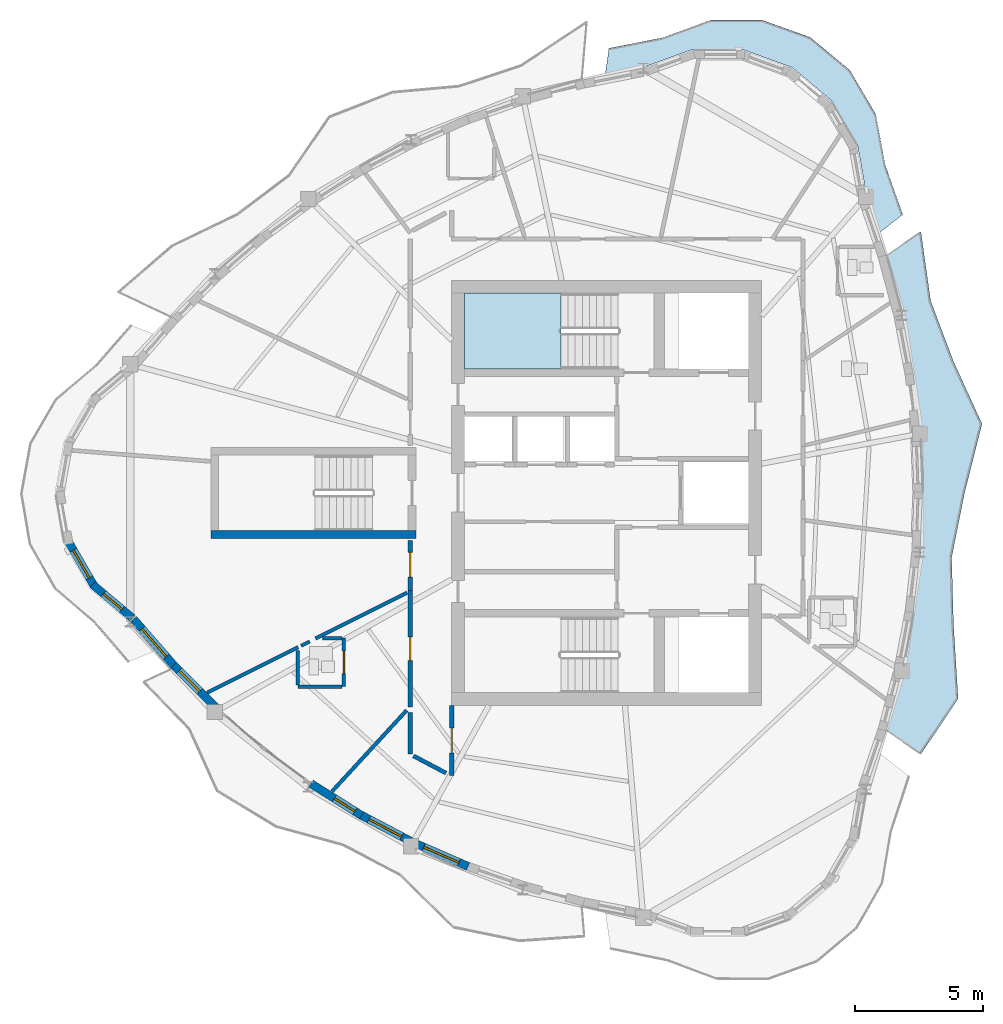
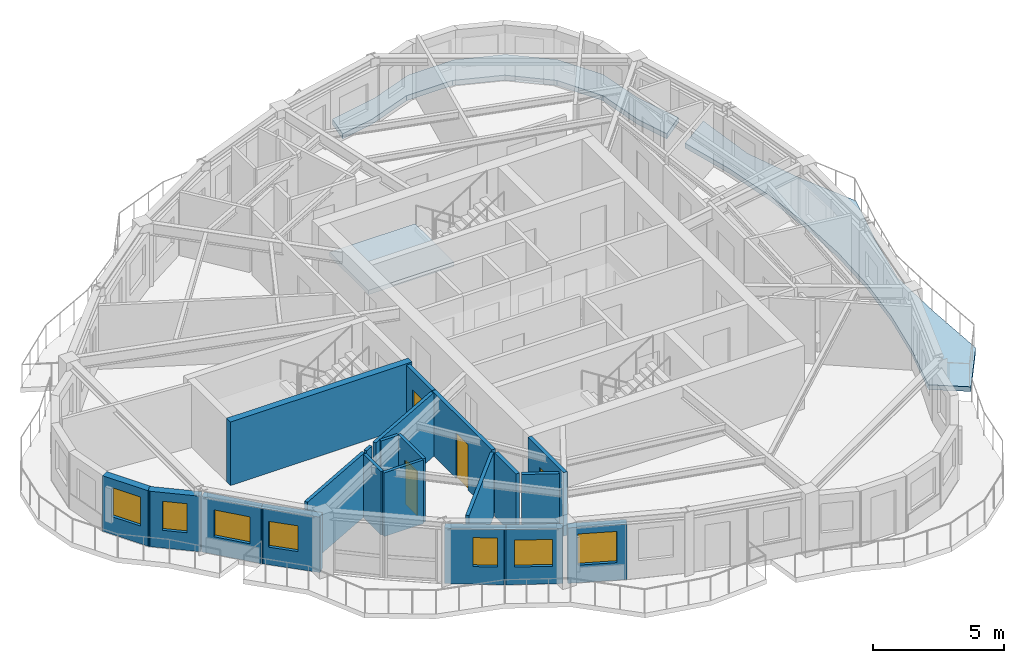
# One storey, part 4 of 13: 21 walls, 7 windows, 4 doors, 3 slabs, 11 openings, 1 element without a shape of its own.
"""IFC4 building model written with IfcOpenShell, lengths in metres."""

from ifc_helpers import new_model, si_unit, direction, frame, frame_2d, origin, place, context, subcontext, project, spatial, polyline, rectangle, outline, extrude, source, transform, mapped, material, layer, layer_set, type_object, element, fill, aggregate, save


model = new_model("IFC4")

# Units and contexts
model_context = context("Model", 3, precision=1e-05, world=origin(), true_north=direction((0.0, 1.0)))
body_context = subcontext(model_context, "Body", "Model", "MODEL_VIEW")
ifc_project = project(units=[si_unit("LENGTHUNIT", "METRE"), si_unit("AREAUNIT", "SQUARE_METRE"), si_unit("VOLUMEUNIT", "CUBIC_METRE"), si_unit("PLANEANGLEUNIT", "RADIAN"), si_unit("MASSUNIT", "GRAM", prefix="KILO")], contexts=[model_context])

# Site, building, storey
site_placement = place(None, origin())
site = spatial("IfcSite", under=ifc_project, at=site_placement, CompositionType="ELEMENT")
building_placement = place(site_placement, origin())
building = spatial("IfcBuilding", under=site, at=building_placement, Name="Qafzar Sky-Pleat Residences", CompositionType="ELEMENT")
storey_placement = place(building_placement, frame((0.0, 0.0, 195.60009765625)))
storey = spatial("IfcBuildingStorey", under=building, at=storey_placement, Name="L58", CompositionType="ELEMENT", Elevation=195.60009765625)

# Slab
ifc_material_1 = material(Name="Concrete C40/50", Category="concrete")
ifc_layer_1 = layer(ifc_material_1, 0.219970703125)
ifc_layer_set_1 = layer_set([ifc_layer_1], Name="Concrete C40/50")
slab_type_1 = type_object("IfcSlabType", Name="SLAB-BAL-220", PredefinedType="USERDEFINED", material=ifc_layer_set_1)
slab_1_placement = place(storey_placement, frame((0.0, 0.0, -0.22021484375)))
element("IfcSlab", 1, at=slab_1_placement, inside=storey, type_object=slab_type_1, Name="L58 Pleated Stone Balcony 1", ObjectType="BALCONY", PredefinedType="USERDEFINED", context=body_context, shape_type="SweptSolid", body=[
    extrude(outline(polyline([(41.897705078125, 19.052490234375), (42.337890625, 21.368408203125), (42.602294921875, 23.68408203125), (42.690185546875, 26.0), (42.602294921875, 28.31591796875), (42.337890625, 30.631591796875), (41.897705078125, 32.947509765625), (41.28125, 35.262939453125), (42.624755859375, 36.199951171875), (43.0048828125, 33.5009765625), (43.896728515625, 31.13525390625), (45.01025390625, 28.69775390625), (44.328369140625, 26.0), (43.824951171875, 23.490234375), (43.896728515625, 20.86474609375), (44.078369140625, 17.96240234375), (42.624755859375, 15.800048828125), (41.28125, 16.737060546875), (41.897705078125, 19.052490234375)])), origin(), (0.0, 0.0, 1.0), 0.22021484375),
])

# Stair, slab
stair_type = type_object("IfcStairType", Name="STAIR-H320", PredefinedType="HALF_TURN_STAIR", material=ifc_material_1)
stair_placement = place(storey_placement, origin())
stair = element("IfcStair", 2, at=stair_placement, inside=storey, type_object=stair_type, Name="L58 Protected Exit Stair ST2", PredefinedType="HALF_TURN_STAIR")
ifc_layer_2 = layer(ifc_material_1, 0.199951171875)
ifc_layer_set_2 = layer_set([ifc_layer_2], Name="Concrete C40/50")
slab_type_2 = type_object("IfcSlabType", Name="SLAB-LANDING-200", PredefinedType="LANDING", material=ifc_layer_set_2)
slab_2_placement = place(storey_placement, frame((0.0, 0.0, 1.39990234375)))
slab_2 = element("IfcSlab", 3, at=slab_2_placement, type_object=slab_type_2, Name="ST2 landing 1", PredefinedType="LANDING", context=body_context, shape_type="SweptSolid", body=[
    extrude(outline(polyline([(28.56005859375, 33.800048828125), (24.800048828125, 33.800048828125), (24.800048828125, 30.85009765625), (28.56005859375, 30.85009765625), (28.56005859375, 33.800048828125)])), origin(), (0.0, 0.0, 1.0), 0.199951171875),
])
aggregate(stair, [slab_2])

# Slab
ifc_layer_3 = layer(ifc_material_1, 0.235107421875)
ifc_layer_set_3 = layer_set([ifc_layer_3], Name="Concrete C40/50")
slab_type_3 = type_object("IfcSlabType", Name="SLAB-TER-235", PredefinedType="USERDEFINED", material=ifc_layer_set_3)
slab_3_placement = place(storey_placement, frame((0.0, 0.0, -0.235107421875)))
element("IfcSlab", 4, at=slab_3_placement, inside=storey, type_object=slab_type_3, Name="L58 Shared-Kitchen Corner Terrace 2", ObjectType="TERRACE", PredefinedType="USERDEFINED", context=body_context, shape_type="SweptSolid", body=[
    extrude(outline(polyline([(32.529296875, 43.779052734375), (34.4130859375, 44.46630859375), (36.41796875, 44.47119140625), (38.304931640625, 43.793212890625), (39.84814453125, 42.51318359375), (40.86328125, 40.783935546875), (41.22900390625, 38.8125), (41.914306640625, 36.87109375), (40.991943359375, 36.150390625), (40.50439453125, 37.576416015625), (40.15478515625, 39.55810546875), (40.154296875, 39.560302734375), (40.15380859375, 39.5625), (40.15283203125, 39.564453125), (40.15185546875, 39.56640625), (39.144775390625, 41.310791015625), (39.1435546875, 41.3125), (39.142333984375, 41.314453125), (39.140869140625, 41.31591796875), (39.13916015625, 41.3173828125), (37.59619140625, 42.6123046875), (37.59423828125, 42.613525390625), (37.592529296875, 42.61474609375), (37.590576171875, 42.61572265625), (37.588623046875, 42.616455078125), (35.69580078125, 43.305419921875), (35.693603515625, 43.30615234375), (35.69140625, 43.306640625), (35.689453125, 43.306884765625), (35.687255859375, 43.306884765625), (33.6728515625, 43.306884765625), (33.670654296875, 43.306884765625), (33.66845703125, 43.306640625), (33.666259765625, 43.30615234375), (33.664306640625, 43.305419921875), (31.773193359375, 42.6171875), (30.29443359375, 42.32666015625), (30.44091796875, 43.36865234375), (32.529296875, 43.779052734375)])), origin(), (0.0, 0.0, 1.0), 0.235107421875),
])

# Wall, opening, door
ifc_material_2 = material(Name="Acoustic gypsum plasterboard partition", Category="gypsum")
ifc_layer_4 = layer(ifc_material_2, 0.159912109375)
ifc_layer_set_4 = layer_set([ifc_layer_4], Name="Acoustic gypsum plasterboard partition")
wall_type_1 = type_object("IfcWallType", Name="PART-COR-160", PredefinedType="PARTITIONING", material=ifc_layer_set_4)
wall_1_placement = place(storey_placement, frame((22.679931640625, 17.64111328125, 0.0), z_axis=(0.0, 0.0, 1.0), x_axis=(0.0, 1.0, 0.0)))
wall_1 = element("IfcWall", 5, at=wall_1_placement, inside=storey, type_object=wall_type_1, Name="L58 Partition Wall PART-L58-PW-003", PredefinedType="PARTITIONING", context=body_context, shape_type="SweptSolid", body=[
    extrude(rectangle(XDim=4.539794921875, YDim=0.159912109375, at=frame_2d((2.27001953125, 0.0))), origin(), (0.0, 0.0, 1.0), 2.9599609375),
])
opening_1_placement = place(wall_1_placement, frame((1.81298828125, 0.0, 0.0)))
opening_1 = element("IfcOpeningElement", 6, at=opening_1_placement, cuts=wall_1, Name="Opening ID-04", PredefinedType="OPENING", context=body_context, shape_type="SweptSolid", body=[
    extrude(rectangle(XDim=0.919921875, YDim=2.10009765625, at=frame_2d((0.4599609375, 1.050048828125))), frame((0.0, 0.08984375, 0.0), z_axis=(0.0, -1.0, 0.0), x_axis=(1.0, 0.0, 0.0)), (0.0, 0.0, 1.0), 0.179931640625),
])
ifc_material_3 = material(Name="Timber-faced fire door", Category="wood")
door_type_1 = type_object("IfcDoorType", Name="DR-BED-920", OperationType="NOTDEFINED", PredefinedType="DOOR", material=ifc_material_3)
shared_shape_1 = source(origin(), body_context, "Body", "SweptSolid", [
    extrude(rectangle(XDim=0.919921875, YDim=2.10009765625, at=frame_2d((0.4599609375, 1.050048828125))), frame((0.0, 0.02490234375, 0.0), z_axis=(0.0, -1.0, 0.0), x_axis=(1.0, 0.0, 0.0)), (0.0, 0.0, 1.0), 0.050048828125),
])
door_1_placement = place(opening_1_placement, origin())
door_1 = element("IfcDoor", 7, at=door_1_placement, inside=storey, type_object=door_type_1, Name="L58 Co-Living Bedroom 1 Door", OperationType="SINGLE_SWING_RIGHT", OverallHeight=2.10009765625, OverallWidth=0.919921875, PredefinedType="DOOR", context=body_context, shape_type="MappedRepresentation", body=[
    mapped(shared_shape_1, transform((0.0, 0.0, 0.0), x_axis=(1.0, 0.0, 0.0), y_axis=(0.0, 1.0, 0.0), z_axis=(0.0, 0.0, 1.0), scale=1.0)),
])
fill(opening_1, door_1)

wall_2_placement = place(storey_placement, frame((24.300048828125, 17.69189453125, 0.0), z_axis=(0.0, 0.0, 1.0), x_axis=(0.0, -1.0, 0.0)))
wall_2 = element("IfcWall", 8, at=wall_2_placement, inside=storey, type_object=wall_type_1, Name="L58 Partition Wall PART-L58-PW-010", PredefinedType="PARTITIONING", context=body_context, shape_type="SweptSolid", body=[
    extrude(rectangle(XDim=2.73095703125, YDim=0.159912109375, at=frame_2d((1.365478515625, 0.0))), origin(), (0.0, 0.0, 1.0), 2.9599609375),
])
opening_2_placement = place(wall_2_placement, frame((0.881591796875, 0.0, 0.0)))
opening_2 = element("IfcOpeningElement", 9, at=opening_2_placement, cuts=wall_2, Name="Opening ID-06", PredefinedType="OPENING", context=body_context, shape_type="SweptSolid", body=[
    extrude(rectangle(XDim=0.9599609375, YDim=2.10009765625, at=frame_2d((0.47998046875, 1.050048828125))), frame((0.0, 0.08984375, 0.0), z_axis=(0.0, -1.0, 0.0), x_axis=(1.0, 0.0, 0.0)), (0.0, 0.0, 1.0), 0.179931640625),
])
door_type_2 = type_object("IfcDoorType", Name="DR-STD-960", OperationType="NOTDEFINED", PredefinedType="DOOR", material=ifc_material_3)
shared_shape_2 = source(origin(), body_context, "Body", "SweptSolid", [
    extrude(rectangle(XDim=0.9599609375, YDim=2.10009765625, at=frame_2d((0.47998046875, 1.050048828125))), frame((0.0, 0.02490234375, 0.0), z_axis=(0.0, -1.0, 0.0), x_axis=(1.0, 0.0, 0.0)), (0.0, 0.0, 1.0), 0.050048828125),
])
door_2_placement = place(opening_2_placement, origin())
door_2 = element("IfcDoor", 10, at=door_2_placement, inside=storey, type_object=door_type_2, Name="L58 Reading Library Door", OperationType="SINGLE_SWING_LEFT", OverallHeight=2.10009765625, OverallWidth=0.9599609375, PredefinedType="DOOR", context=body_context, shape_type="MappedRepresentation", body=[
    mapped(shared_shape_2, transform((0.0, 0.0, 0.0), x_axis=(1.0, 0.0, 0.0), y_axis=(0.0, 1.0, 0.0), z_axis=(0.0, 0.0, 1.0), scale=1.0)),
])
fill(opening_2, door_2)

wall_3_placement = place(storey_placement, frame((22.679931640625, 22.196044921875, 0.0), z_axis=(0.0, 0.0, 1.0), x_axis=(0.0, 1.0, 0.0)))
wall_3 = element("IfcWall", 11, at=wall_3_placement, inside=storey, type_object=wall_type_1, Name="L58 Partition Wall PART-L58-PW-011", PredefinedType="PARTITIONING", context=body_context, shape_type="SweptSolid", body=[
    extrude(rectangle(XDim=1.953857421875, YDim=0.159912109375, at=frame_2d((0.97705078125, 0.0))), origin(), (0.0, 0.0, 1.0), 2.9599609375),
])
opening_3_placement = place(wall_3_placement, frame((0.51904296875, 0.0, 0.0)))
opening_3 = element("IfcOpeningElement", 12, at=opening_3_placement, cuts=wall_3, Name="Opening ID-06", PredefinedType="OPENING", context=body_context, shape_type="SweptSolid", body=[
    extrude(rectangle(XDim=0.9599609375, YDim=2.10009765625, at=frame_2d((0.47998046875, 1.050048828125))), frame((0.0, 0.08984375, 0.0), z_axis=(0.0, -1.0, 0.0), x_axis=(1.0, 0.0, 0.0)), (0.0, 0.0, 1.0), 0.179931640625),
])
door_3_placement = place(opening_3_placement, origin())
door_3 = element("IfcDoor", 13, at=door_3_placement, inside=storey, type_object=door_type_2, Name="L58 Wellness Yoga Studio Door", OperationType="SINGLE_SWING_RIGHT", OverallHeight=2.10009765625, OverallWidth=0.9599609375, PredefinedType="DOOR", context=body_context, shape_type="MappedRepresentation", body=[
    mapped(shared_shape_2, transform((0.0, 0.0, 0.0), x_axis=(1.0, 0.0, 0.0), y_axis=(0.0, 1.0, 0.0), z_axis=(0.0, 0.0, 1.0), scale=1.0)),
])
fill(opening_3, door_3)

# Walls
wall_4_placement = place(storey_placement, frame((22.679931640625, 15.7958984375, 0.0), z_axis=(0.0, 0.0, 1.0), x_axis=(0.0, 1.0, 0.0)))
element("IfcWall", 14, at=wall_4_placement, inside=storey, type_object=wall_type_1, Name="L58 Partition Wall PART-L58-PW-030", PredefinedType="PARTITIONING", context=body_context, shape_type="SweptSolid", body=[
    extrude(rectangle(XDim=1.628173828125, YDim=0.159912109375, at=frame_2d((0.81396484375, 0.0))), origin(), (0.0, 0.0, 1.0), 2.9599609375),
])
wall_5_placement = place(storey_placement, frame((22.804443359375, 15.730224609375, 0.0), z_axis=(0.0, 0.0, 1.0), x_axis=(0.884376976103, -0.466773354143, 0.0)))
element("IfcWall", 15, at=wall_5_placement, inside=storey, type_object=wall_type_1, Name="L58 Partition Wall PART-L58-PW-040", PredefinedType="PARTITIONING", context=body_context, shape_type="SweptSolid", body=[
    extrude(rectangle(XDim=1.43994140625, YDim=0.159912109375, at=frame_2d((0.719970703125, 0.0))), origin(), (0.0, 0.0, 1.0), 2.9599609375),
])
ifc_layer_5 = layer(ifc_material_2, 0.14501953125)
ifc_layer_set_5 = layer_set([ifc_layer_5], Name="Acoustic gypsum plasterboard partition")
wall_type_2 = type_object("IfcWallType", Name="PART-UNIT-145", PredefinedType="PARTITIONING", material=ifc_layer_set_5)
wall_6_placement = place(storey_placement, frame((19.625, 14.3427734375, 0.0), z_axis=(0.0, 0.0, 1.0), x_axis=(0.677104421975, 0.735886949023, 0.0)))
element("IfcWall", 16, at=wall_6_placement, inside=storey, type_object=wall_type_2, Name="L58 Partition Wall PART-L58-PW-021", PredefinedType="PARTITIONING", context=body_context, shape_type="SweptSolid", body=[
    extrude(rectangle(XDim=4.306884765625, YDim=0.14501953125, at=frame_2d((2.1533203125, 0.0))), origin(), (0.0, 0.0, 1.0), 2.9599609375),
])
wall_7_placement = place(storey_placement, frame((18.98291015625, 20.31591796875, 0.0), z_axis=(0.0, 0.0, 1.0), x_axis=(0.894366146285, 0.447335664104, 0.0)))
element("IfcWall", 17, at=wall_7_placement, inside=storey, type_object=wall_type_2, Name="L58 Partition Wall PART-L58-PW-024", PredefinedType="PARTITIONING", context=body_context, shape_type="SweptSolid", body=[
    extrude(rectangle(XDim=4.0, YDim=0.14501953125, at=frame_2d((2.0, 0.0))), origin(), (0.0, 0.0, 1.0), 2.9599609375),
])
wall_8_placement = place(storey_placement, frame((14.75390625, 18.201904296875, 0.0), z_axis=(0.0, 0.0, 1.0), x_axis=(0.894464106055, 0.44713975777, 0.0)))
element("IfcWall", 18, at=wall_8_placement, inside=storey, type_object=wall_type_2, Name="L58 Partition Wall PART-L58-PW-027", PredefinedType="PARTITIONING", context=body_context, shape_type="SweptSolid", body=[
    extrude(rectangle(XDim=3.9677734375, YDim=0.14501953125, at=frame_2d((1.98388671875, 0.0))), origin(), (0.0, 0.0, 1.0), 2.9599609375),
])

# Wall, opening, door
ifc_material_4 = material(Name="Moisture-resistant gypsum partition", Category="gypsum")
ifc_layer_6 = layer(ifc_material_4, 0.1298828125)
ifc_layer_set_6 = layer_set([ifc_layer_6], Name="Moisture-resistant gypsum partition")
wall_type_3 = type_object("IfcWallType", Name="PART-WET-130", PredefinedType="PARTITIONING", material=ifc_layer_set_6)
wall_9_placement = place(storey_placement, frame((20.087890625, 18.430908203125, 0.0), z_axis=(0.0, 0.0, 1.0), x_axis=(0.0, 1.0, 0.0)))
wall_9 = element("IfcWall", 19, at=wall_9_placement, inside=storey, type_object=wall_type_3, Name="L58 Partition Wall PART-L58-PW-012", PredefinedType="PARTITIONING", context=body_context, shape_type="SweptSolid", body=[
    extrude(rectangle(XDim=1.900146484375, YDim=0.1298828125, at=frame_2d((0.9501953125, 0.0))), origin(), (0.0, 0.0, 1.0), 2.9599609375),
])
opening_4_placement = place(wall_9_placement, frame((0.510009765625, 0.0, 0.0)))
opening_4 = element("IfcOpeningElement", 20, at=opening_4_placement, cuts=wall_9, Name="Opening ID-07", PredefinedType="OPENING", context=body_context, shape_type="SweptSolid", body=[
    extrude(rectangle(XDim=0.8798828125, YDim=2.050048828125, at=frame_2d((0.43994140625, 1.02490234375))), frame((0.0, 0.074951171875, 0.0), z_axis=(0.0, -1.0, 0.0), x_axis=(1.0, 0.0, 0.0)), (0.0, 0.0, 1.0), 0.14990234375),
])
door_type_3 = type_object("IfcDoorType", Name="DR-WET-880", OperationType="NOTDEFINED", PredefinedType="DOOR", material=ifc_material_3)
shared_shape_3 = source(origin(), body_context, "Body", "SweptSolid", [
    extrude(rectangle(XDim=0.8798828125, YDim=2.050048828125, at=frame_2d((0.43994140625, 1.02490234375))), frame((0.0, 0.02490234375, 0.0), z_axis=(0.0, -1.0, 0.0), x_axis=(1.0, 0.0, 0.0)), (0.0, 0.0, 1.0), 0.050048828125),
])
door_4_placement = place(opening_4_placement, origin())
door_4 = element("IfcDoor", 21, at=door_4_placement, inside=storey, type_object=door_type_3, Name="L58 En-suite Bathroom 1 Door", OperationType="SINGLE_SWING_LEFT", OverallHeight=2.050048828125, OverallWidth=0.8798828125, PredefinedType="DOOR", context=body_context, shape_type="MappedRepresentation", body=[
    mapped(shared_shape_3, transform((0.0, 0.0, 0.0), x_axis=(1.0, 0.0, 0.0), y_axis=(0.0, 1.0, 0.0), z_axis=(0.0, 0.0, 1.0), scale=1.0)),
])
fill(opening_4, door_4)

# Walls
wall_10_placement = place(storey_placement, frame((18.2880859375, 18.430908203125, 0.0), z_axis=(0.0, 0.0, 1.0), x_axis=(1.0, 0.0, 0.0)))
element("IfcWall", 22, at=wall_10_placement, inside=storey, type_object=wall_type_3, Name="L58 Partition Wall PART-L58-PW-034", PredefinedType="PARTITIONING", context=body_context, shape_type="SweptSolid", body=[
    extrude(rectangle(XDim=1.726806640625, YDim=0.1298828125, at=frame_2d((0.86328125, 0.0))), origin(), (0.0, 0.0, 1.0), 2.9599609375),
])
wall_11_placement = place(storey_placement, frame((18.2880859375, 18.50390625, 0.0), z_axis=(0.0, 0.0, 1.0), x_axis=(0.0, 1.0, 0.0)))
element("IfcWall", 23, at=wall_11_placement, inside=storey, type_object=wall_type_3, Name="L58 Partition Wall PART-L58-PW-042", PredefinedType="PARTITIONING", context=body_context, shape_type="SweptSolid", body=[
    extrude(rectangle(XDim=1.343505859375, YDim=0.1298828125, at=frame_2d((0.671875, 0.0))), origin(), (0.0, 0.0, 1.0), 2.9599609375),
])
wall_12_placement = place(storey_placement, frame((19.2529296875, 20.3310546875, 0.0), z_axis=(0.0, 0.0, 1.0), x_axis=(1.0, 0.0, 0.0)))
element("IfcWall", 24, at=wall_12_placement, inside=storey, type_object=wall_type_3, Name="L58 Partition Wall PART-L58-PW-048", PredefinedType="PARTITIONING", context=body_context, shape_type="SweptSolid", body=[
    extrude(rectangle(XDim=0.761962890625, YDim=0.1298828125, at=frame_2d((0.380859375, 0.0))), origin(), (0.0, 0.0, 1.0), 2.9599609375),
])
wall_13_placement = place(storey_placement, frame((18.41748046875, 20.033203125, 0.0), z_axis=(0.0, 0.0, 1.0), x_axis=(0.894427191, 0.4472135955, 0.0)))
element("IfcWall", 25, at=wall_13_placement, inside=storey, type_object=wall_type_3, Name="L58 Partition Wall PART-L58-PW-049", PredefinedType="PARTITIONING", context=body_context, shape_type="SweptSolid", body=[
    extrude(rectangle(XDim=0.377197265625, YDim=0.1298828125, at=frame_2d((0.1884765625, 0.0))), origin(), (0.0, 0.0, 1.0), 2.9599609375),
])

# Wall, opening, window
ifc_material_5 = material(Name="Precast concrete C40/50 with honed Riyadh limestone", Category="concrete")
ifc_layer_7 = layer(ifc_material_5, 0.320068359375)
ifc_layer_set_7 = layer_set([ifc_layer_7], Name="Precast concrete C40/50 with honed Riyadh limestone")
wall_type_4 = type_object("IfcWallType", Name="WALL-EXT-320", PredefinedType="SOLIDWALL", material=ifc_layer_set_7)
wall_14_placement = place(storey_placement, frame((9.309326171875, 24.129150390625, 0.0), z_axis=(0.0, 0.0, 1.0), x_axis=(0.499995423472, -0.866028046028, 0.0)))
wall_14 = element("IfcWall", 26, at=wall_14_placement, inside=storey, type_object=wall_type_4, Name="L58 Limestone Facade Wall 5", PredefinedType="SOLIDWALL", context=body_context, shape_type="SweptSolid", body=[
    extrude(rectangle(XDim=2.09033203125, YDim=0.320068359375, at=frame_2d((1.045166015625, 0.0))), origin(), (0.0, 0.0, 1.0), 2.579833984375),
])
opening_5_placement = place(wall_14_placement, frame((0.420166015625, 0.0, 0.820068359375)))
opening_5 = element("IfcOpeningElement", 27, at=opening_5_placement, cuts=wall_14, Name="Opening WN-11", PredefinedType="OPENING", context=body_context, shape_type="SweptSolid", body=[
    extrude(rectangle(XDim=1.25, YDim=1.35009765625, at=frame_2d((0.625, 0.675048828125))), frame((0.0, 0.169921875, 0.0), z_axis=(0.0, -1.0, 0.0), x_axis=(1.0, 0.0, 0.0)), (0.0, 0.0, 1.0), 0.340087890625),
])
ifc_material_6 = material(Name="Solar-control low-E glass in bronze aluminium frame", Category="glass")
window_type_1 = type_object("IfcWindowType", Name="WIN-11", PartitioningType="SINGLE_PANEL", PredefinedType="WINDOW", material=ifc_material_6)
shared_shape_4 = source(origin(), body_context, "Body", "SweptSolid", [
    extrude(rectangle(XDim=1.25, YDim=1.35009765625, at=frame_2d((0.625, 0.675048828125))), frame((0.0, 0.030029296875, 0.0), z_axis=(0.0, -1.0, 0.0), x_axis=(1.0, 0.0, 0.0)), (0.0, 0.0, 1.0), 0.06005859375),
])
window_1_placement = place(opening_5_placement, origin())
window_1 = element("IfcWindow", 28, at=window_1_placement, inside=storey, type_object=window_type_1, Name="L58 Punched Facade Window 05", OverallHeight=1.35009765625, OverallWidth=1.25, PartitioningType="SINGLE_PANEL", PredefinedType="WINDOW", context=body_context, shape_type="MappedRepresentation", body=[
    mapped(shared_shape_4, transform((0.0, 0.0, 0.0), x_axis=(1.0, 0.0, 0.0), y_axis=(0.0, 1.0, 0.0), z_axis=(0.0, 0.0, 1.0), scale=1.0)),
])
fill(opening_5, window_1)

wall_15_placement = place(storey_placement, frame((10.2705078125, 22.418701171875, 0.0), z_axis=(0.0, 0.0, 1.0), x_axis=(0.766099948115, -0.642721455608, 0.0)))
wall_15 = element("IfcWall", 29, at=wall_15_placement, inside=storey, type_object=wall_type_4, Name="L58 Limestone Facade Wall 6", PredefinedType="SOLIDWALL", context=body_context, shape_type="SweptSolid", body=[
    extrude(rectangle(XDim=2.0322265625, YDim=0.320068359375, at=frame_2d((1.01611328125, 0.0))), origin(), (0.0, 0.0, 1.0), 2.579833984375),
])
opening_6_placement = place(wall_15_placement, frame((0.55126953125, 0.0, 0.820068359375)))
opening_6 = element("IfcOpeningElement", 30, at=opening_6_placement, cuts=wall_15, Name="Opening WN-12", PredefinedType="OPENING", context=body_context, shape_type="SweptSolid", body=[
    extrude(rectangle(XDim=0.949951171875, YDim=1.35009765625, at=frame_2d((0.47509765625, 0.675048828125))), frame((0.0, 0.169921875, 0.0), z_axis=(0.0, -1.0, 0.0), x_axis=(1.0, 0.0, 0.0)), (0.0, 0.0, 1.0), 0.340087890625),
])
window_type_2 = type_object("IfcWindowType", Name="WIN-12", PartitioningType="SINGLE_PANEL", PredefinedType="WINDOW", material=ifc_material_6)
shared_shape_5 = source(origin(), body_context, "Body", "SweptSolid", [
    extrude(rectangle(XDim=0.949951171875, YDim=1.35009765625, at=frame_2d((0.47509765625, 0.675048828125))), frame((0.0, 0.030029296875, 0.0), z_axis=(0.0, -1.0, 0.0), x_axis=(1.0, 0.0, 0.0)), (0.0, 0.0, 1.0), 0.06005859375),
])
window_2_placement = place(opening_6_placement, origin())
window_2 = element("IfcWindow", 31, at=window_2_placement, inside=storey, type_object=window_type_2, Name="L58 Punched Facade Window 06", OverallHeight=1.35009765625, OverallWidth=0.949951171875, PartitioningType="SINGLE_PANEL", PredefinedType="WINDOW", context=body_context, shape_type="MappedRepresentation", body=[
    mapped(shared_shape_5, transform((0.0, 0.0, 0.0), x_axis=(1.0, 0.0, 0.0), y_axis=(0.0, 1.0, 0.0), z_axis=(0.0, 0.0, 1.0), scale=1.0)),
])
fill(opening_6, window_2)

wall_16_placement = place(storey_placement, frame((11.873779296875, 21.0673828125, 0.0), z_axis=(0.0, 0.0, 1.0), x_axis=(0.657571063417, -0.753392524888, 0.0)))
wall_16 = element("IfcWall", 32, at=wall_16_placement, inside=storey, type_object=wall_type_4, Name="L58 Limestone Facade Wall 7", PredefinedType="SOLIDWALL", context=body_context, shape_type="SweptSolid", body=[
    extrude(rectangle(XDim=2.4638671875, YDim=0.320068359375, at=frame_2d((1.23193359375, 0.0))), origin(), (0.0, 0.0, 1.0), 2.579833984375),
])
opening_7_placement = place(wall_16_placement, frame((0.496826171875, 0.0, 0.820068359375)))
opening_7 = element("IfcOpeningElement", 33, at=opening_7_placement, cuts=wall_16, Name="Opening WN-15", PredefinedType="OPENING", context=body_context, shape_type="SweptSolid", body=[
    extrude(rectangle(XDim=1.449951171875, YDim=1.25, at=frame_2d((0.72509765625, 0.625))), frame((0.0, 0.169921875, 0.0), z_axis=(0.0, -1.0, 0.0), x_axis=(1.0, 0.0, 0.0)), (0.0, 0.0, 1.0), 0.340087890625),
])
window_type_3 = type_object("IfcWindowType", Name="WIN-15", PartitioningType="SINGLE_PANEL", PredefinedType="WINDOW", material=ifc_material_6)
shared_shape_6 = source(origin(), body_context, "Body", "SweptSolid", [
    extrude(rectangle(XDim=1.449951171875, YDim=1.25, at=frame_2d((0.72509765625, 0.625))), frame((0.0, 0.030029296875, 0.0), z_axis=(0.0, -1.0, 0.0), x_axis=(1.0, 0.0, 0.0)), (0.0, 0.0, 1.0), 0.06005859375),
])
window_3_placement = place(opening_7_placement, origin())
window_3 = element("IfcWindow", 34, at=window_3_placement, inside=storey, type_object=window_type_3, Name="L58 Punched Facade Window 07", OverallHeight=1.25, OverallWidth=1.449951171875, PartitioningType="SINGLE_PANEL", PredefinedType="WINDOW", context=body_context, shape_type="MappedRepresentation", body=[
    mapped(shared_shape_6, transform((0.0, 0.0, 0.0), x_axis=(1.0, 0.0, 0.0), y_axis=(0.0, 1.0, 0.0), z_axis=(0.0, 0.0, 1.0), scale=1.0)),
])
fill(opening_7, window_3)

wall_17_placement = place(storey_placement, frame((13.434326171875, 19.27490234375, 0.0), z_axis=(0.0, 0.0, 1.0), x_axis=(0.708408377073, -0.705802784985, 0.0)))
wall_17 = element("IfcWall", 35, at=wall_17_placement, inside=storey, type_object=wall_type_4, Name="L58 Limestone Facade Wall 8", PredefinedType="SOLIDWALL", context=body_context, shape_type="SweptSolid", body=[
    extrude(rectangle(XDim=2.342529296875, YDim=0.320068359375, at=frame_2d((1.17138671875, 0.0))), origin(), (0.0, 0.0, 1.0), 2.579833984375),
])
opening_8_placement = place(wall_17_placement, frame((0.3076171875, 0.0, 0.820068359375)))
opening_8 = element("IfcOpeningElement", 36, at=opening_8_placement, cuts=wall_17, Name="Opening WN-16", PredefinedType="OPENING", context=body_context, shape_type="SweptSolid", body=[
    extrude(rectangle(XDim=1.14990234375, YDim=1.199951171875, at=frame_2d((0.574951171875, 0.60009765625))), frame((0.0, 0.169921875, 0.0), z_axis=(0.0, -1.0, 0.0), x_axis=(1.0, 0.0, 0.0)), (0.0, 0.0, 1.0), 0.340087890625),
])
window_type_4 = type_object("IfcWindowType", Name="WIN-16", PartitioningType="SINGLE_PANEL", PredefinedType="WINDOW", material=ifc_material_6)
shared_shape_7 = source(origin(), body_context, "Body", "SweptSolid", [
    extrude(rectangle(XDim=1.14990234375, YDim=1.199951171875, at=frame_2d((0.574951171875, 0.60009765625))), frame((0.0, 0.030029296875, 0.0), z_axis=(0.0, -1.0, 0.0), x_axis=(1.0, 0.0, 0.0)), (0.0, 0.0, 1.0), 0.06005859375),
])
window_4_placement = place(opening_8_placement, origin())
window_4 = element("IfcWindow", 37, at=window_4_placement, inside=storey, type_object=window_type_4, Name="L58 Punched Facade Window 08", OverallHeight=1.199951171875, OverallWidth=1.14990234375, PartitioningType="SINGLE_PANEL", PredefinedType="WINDOW", context=body_context, shape_type="MappedRepresentation", body=[
    mapped(shared_shape_7, transform((0.0, 0.0, 0.0), x_axis=(1.0, 0.0, 0.0), y_axis=(0.0, 1.0, 0.0), z_axis=(0.0, 0.0, 1.0), scale=1.0)),
])
fill(opening_8, window_4)

wall_18_placement = place(storey_placement, frame((18.802978515625, 14.646240234375, 0.0), z_axis=(0.0, 0.0, 1.0), x_axis=(0.846390024768, -0.532563541724, 0.0)))
wall_18 = element("IfcWall", 38, at=wall_18_placement, inside=storey, type_object=wall_type_4, Name="L58 Limestone Facade Wall 11", PredefinedType="SOLIDWALL", context=body_context, shape_type="SweptSolid", body=[
    extrude(rectangle(XDim=2.333740234375, YDim=0.320068359375, at=frame_2d((1.1669921875, 0.0))), origin(), (0.0, 0.0, 1.0), 2.579833984375),
])
opening_9_placement = place(wall_18_placement, frame((1.07763671875, 0.0, 0.820068359375)))
opening_9 = element("IfcOpeningElement", 39, at=opening_9_placement, cuts=wall_18, Name="Opening WN-12", PredefinedType="OPENING", context=body_context, shape_type="SweptSolid", body=[
    extrude(rectangle(XDim=0.949951171875, YDim=1.35009765625, at=frame_2d((0.47509765625, 0.675048828125))), frame((0.0, 0.169921875, 0.0), z_axis=(0.0, -1.0, 0.0), x_axis=(1.0, 0.0, 0.0)), (0.0, 0.0, 1.0), 0.340087890625),
])
window_5_placement = place(opening_9_placement, origin())
window_5 = element("IfcWindow", 40, at=window_5_placement, inside=storey, type_object=window_type_2, Name="L58 Punched Facade Window 11-2", OverallHeight=1.35009765625, OverallWidth=0.949951171875, PartitioningType="SINGLE_PANEL", PredefinedType="WINDOW", context=body_context, shape_type="MappedRepresentation", body=[
    mapped(shared_shape_5, transform((0.0, 0.0, 0.0), x_axis=(1.0, 0.0, 0.0), y_axis=(0.0, 1.0, 0.0), z_axis=(0.0, 0.0, 1.0), scale=1.0)),
])
fill(opening_9, window_5)

wall_19_placement = place(storey_placement, frame((20.701904296875, 13.447509765625, 0.0), z_axis=(0.0, 0.0, 1.0), x_axis=(0.884374859293, -0.466777364758, 0.0)))
wall_19 = element("IfcWall", 41, at=wall_19_placement, inside=storey, type_object=wall_type_4, Name="L58 Limestone Facade Wall 12", PredefinedType="SOLIDWALL", context=body_context, shape_type="SweptSolid", body=[
    extrude(rectangle(XDim=2.263671875, YDim=0.320068359375, at=frame_2d((1.1318359375, 0.0))), origin(), (0.0, 0.0, 1.0), 2.579833984375),
])
opening_10_placement = place(wall_19_placement, frame((0.411865234375, 0.0, 0.820068359375)))
opening_10 = element("IfcOpeningElement", 42, at=opening_10_placement, cuts=wall_19, Name="Opening WN-15", PredefinedType="OPENING", context=body_context, shape_type="SweptSolid", body=[
    extrude(rectangle(XDim=1.449951171875, YDim=1.25, at=frame_2d((0.72509765625, 0.625))), frame((0.0, 0.169921875, 0.0), z_axis=(0.0, -1.0, 0.0), x_axis=(1.0, 0.0, 0.0)), (0.0, 0.0, 1.0), 0.340087890625),
])
window_6_placement = place(opening_10_placement, origin())
window_6 = element("IfcWindow", 43, at=window_6_placement, inside=storey, type_object=window_type_3, Name="L58 Punched Facade Window 12", OverallHeight=1.25, OverallWidth=1.449951171875, PartitioningType="SINGLE_PANEL", PredefinedType="WINDOW", context=body_context, shape_type="MappedRepresentation", body=[
    mapped(shared_shape_6, transform((0.0, 0.0, 0.0), x_axis=(1.0, 0.0, 0.0), y_axis=(0.0, 1.0, 0.0), z_axis=(0.0, 0.0, 1.0), scale=1.0)),
])
fill(opening_10, window_6)

wall_20_placement = place(storey_placement, frame((22.85498046875, 12.318115234375, 0.0), z_axis=(0.0, 0.0, 1.0), x_axis=(0.917114368262, -0.398624178302, 0.0)))
wall_20 = element("IfcWall", 44, at=wall_20_placement, inside=storey, type_object=wall_type_4, Name="L58 Limestone Facade Wall 13", PredefinedType="SOLIDWALL", context=body_context, shape_type="SweptSolid", body=[
    extrude(rectangle(XDim=2.277099609375, YDim=0.320068359375, at=frame_2d((1.138671875, 0.0))), origin(), (0.0, 0.0, 1.0), 2.579833984375),
])
opening_11_placement = place(wall_20_placement, frame((0.383544921875, 0.0, 0.820068359375)))
opening_11 = element("IfcOpeningElement", 45, at=opening_11_placement, cuts=wall_20, Name="Opening WN-03", PredefinedType="OPENING", context=body_context, shape_type="SweptSolid", body=[
    extrude(rectangle(XDim=1.5, YDim=1.449951171875, at=frame_2d((0.75, 0.72509765625))), frame((0.0, 0.169921875, 0.0), z_axis=(0.0, -1.0, 0.0), x_axis=(1.0, 0.0, 0.0)), (0.0, 0.0, 1.0), 0.340087890625),
])
window_type_5 = type_object("IfcWindowType", Name="WIN-03", PartitioningType="DOUBLE_PANEL_VERTICAL", PredefinedType="WINDOW", material=ifc_material_6)
shared_shape_8 = source(origin(), body_context, "Body", "SweptSolid", [
    extrude(rectangle(XDim=1.5, YDim=1.449951171875, at=frame_2d((0.75, 0.72509765625))), frame((0.0, 0.030029296875, 0.0), z_axis=(0.0, -1.0, 0.0), x_axis=(1.0, 0.0, 0.0)), (0.0, 0.0, 1.0), 0.06005859375),
])
window_7_placement = place(opening_11_placement, origin())
window_7 = element("IfcWindow", 46, at=window_7_placement, inside=storey, type_object=window_type_5, Name="L58 Punched Facade Window 13", OverallHeight=1.449951171875, OverallWidth=1.5, PartitioningType="SINGLE_PANEL", PredefinedType="WINDOW", context=body_context, shape_type="MappedRepresentation", body=[
    mapped(shared_shape_8, transform((0.0, 0.0, 0.0), x_axis=(1.0, 0.0, 0.0), y_axis=(0.0, 1.0, 0.0), z_axis=(0.0, 0.0, 1.0), scale=1.0)),
])
fill(opening_11, window_7)

# Wall
ifc_material_7 = material(Name="Concrete C60/75", Category="concrete")
ifc_layer_8 = layer(ifc_material_7, 0.300048828125)
ifc_layer_set_8 = layer_set([ifc_layer_8], Name="Concrete C60/75")
wall_type_5 = type_object("IfcWallType", Name="WALL-SHEAR-300", PredefinedType="SHEAR", material=ifc_layer_set_8)
wall_21_placement = place(storey_placement, frame((14.89990234375, 24.375, 0.0), z_axis=(0.0, 0.0, 1.0), x_axis=(1.0, 0.0, 0.0)))
element("IfcWall", 47, at=wall_21_placement, inside=storey, type_object=wall_type_5, Name="L58 ST3 wall S", PredefinedType="SHEAR", context=body_context, shape_type="SweptSolid", body=[
    extrude(rectangle(XDim=8.0, YDim=0.300048828125, at=frame_2d((4.0, 0.0))), origin(), (0.0, 0.0, 1.0), 2.9599609375),
])

save(model, "model.ifc")
